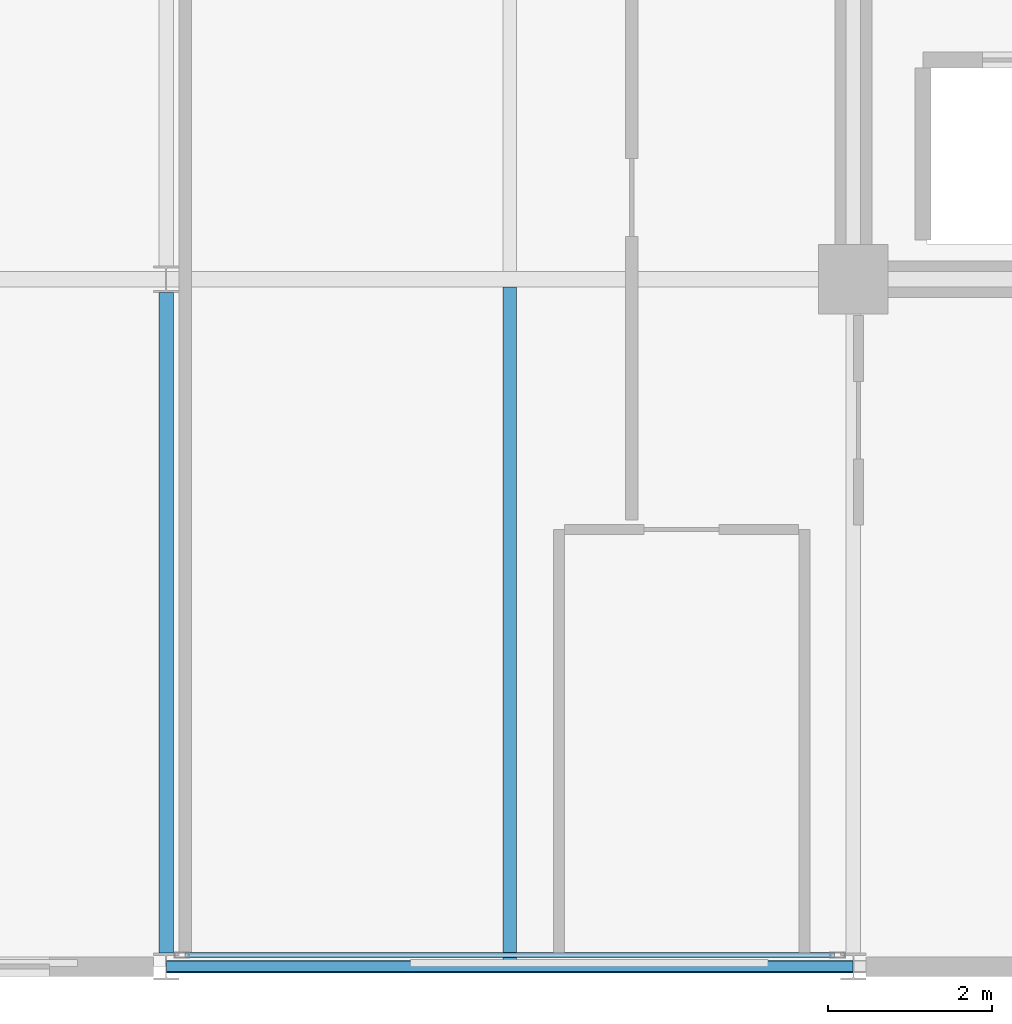
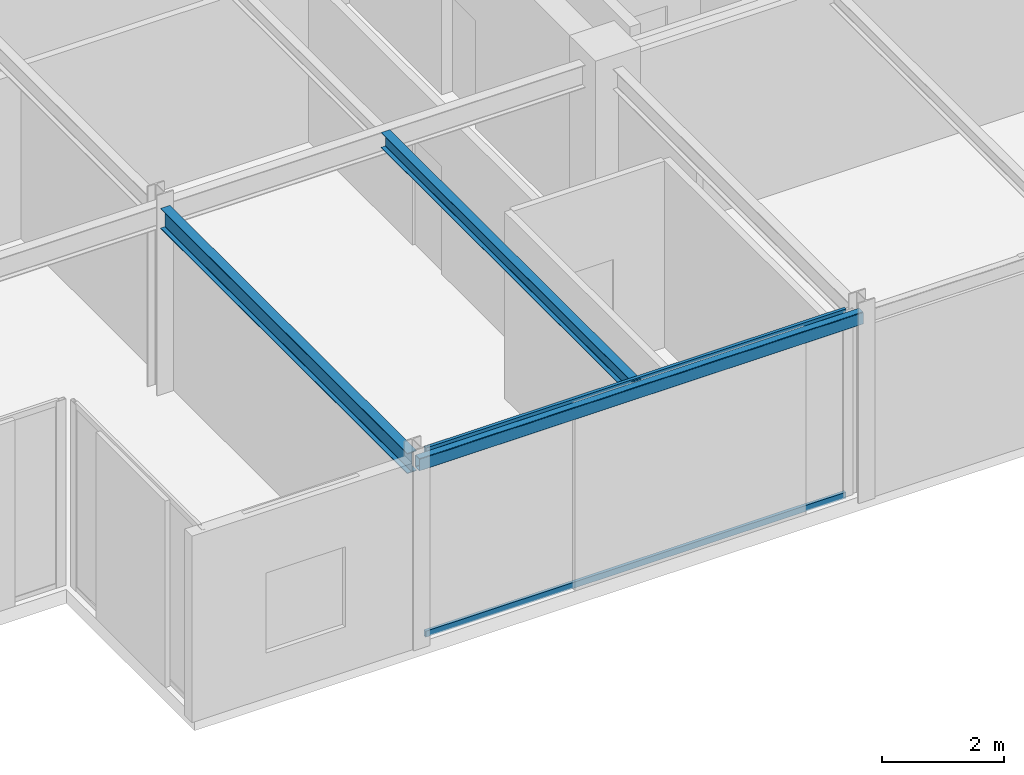
# One storey, part 4 of 24: 3 beams, 2 members, 1 element without a shape of its own.
"""IFC4 building model written with IfcOpenShell, lengths in metres."""

from ifc_helpers import new_model, si_unit, direction, frame, origin, origin_2d, place, context, subcontext, project, spatial, hollow_rectangle, i_section, extrude, material, layer, layer_set, material_profile, profile_set, type_object, element, aggregate, save


model = new_model("IFC4")

# Units and contexts
model_context = context("Model", 3, precision=1e-05, world=origin(), true_north=direction((0.0, 1.0)))
body_context = subcontext(model_context, "Body", "Model", "MODEL_VIEW")
ifc_project = project(units=[si_unit("LENGTHUNIT", "METRE"), si_unit("AREAUNIT", "SQUARE_METRE"), si_unit("VOLUMEUNIT", "CUBIC_METRE"), si_unit("PLANEANGLEUNIT", "RADIAN"), si_unit("MASSUNIT", "GRAM", prefix="KILO")], contexts=[model_context])

# Site, building, storey
site_placement = place(None, origin())
site = spatial("IfcSite", under=ifc_project, at=site_placement, CompositionType="ELEMENT")
building_placement = place(site_placement, origin())
building = spatial("IfcBuilding", under=site, at=building_placement, Name="Nerrivon Quay Data Exchange", CompositionType="ELEMENT")
storey_placement = place(building_placement, frame((0.0, 0.0, 310.199951171875)))
storey = spatial("IfcBuildingStorey", under=building, at=storey_placement, Name="L74", CompositionType="ELEMENT", Elevation=310.199951171875)

# Beams
ifc_material_1 = material(Name="Steel Grade 350", Category="steel")
ifc_material_profile_1 = material_profile(ifc_material_1, i_section(OverallWidth=0.177978515625, OverallDepth=0.406005859375, WebThickness=0.0078125, FlangeThickness=0.0126953125, FilletRadius=0.011474609375, at=origin_2d()), Name="410UB59.7")
ifc_profile_set_1 = profile_set([ifc_material_profile_1], Name="Steel Grade 350")
beam_type_1 = type_object("IfcBeamType", Name="BM-J1-410UB60", PredefinedType="JOIST", material=ifc_profile_set_1)
beam_1_placement = place(storey_placement, frame((8.39990234375, 0.16357421875, 3.52197265625), z_axis=(0.0, 1.0, 0.0), x_axis=(-1.0, 0.0, 0.0)))
element("IfcBeam", 1, at=beam_1_placement, inside=storey, type_object=beam_type_1, Name="L74 NS Girder X=8.4 (0.0..8.4)", PredefinedType="JOIST", context=body_context, shape_type="SweptSolid", body=[
    extrude(i_section(OverallWidth=0.177978515625, OverallDepth=0.406005859375, WebThickness=0.0078125, FlangeThickness=0.0126953125, FilletRadius=0.011474609375, at=origin_2d()), origin(), (0.0, 0.0, 1.0), 8.072998046875),
])
ifc_material_profile_2 = material_profile(ifc_material_1, i_section(OverallWidth=0.1650390625, OverallDepth=0.303955078125, WebThickness=0.006103515625, FlangeThickness=0.01025390625, FilletRadius=0.011474609375, at=origin_2d()), Name="310UB40.4")
ifc_profile_set_2 = profile_set([ifc_material_profile_2], Name="Steel Grade 350")
beam_type_2 = type_object("IfcBeamType", Name="BM-J6-310UB40", PredefinedType="JOIST", material=ifc_profile_set_2)
beam_2_placement = place(storey_placement, frame((12.60009765625, 0.074951171875, 3.572998046875), z_axis=(0.0, 1.0, 0.0), x_axis=(-1.0, 0.0, 0.0)))
element("IfcBeam", 2, at=beam_2_placement, inside=storey, type_object=beam_type_2, Name="L74 Secondary Joist X=12.6 (0.0..8.4)", PredefinedType="JOIST", context=body_context, shape_type="SweptSolid", body=[
    extrude(i_section(OverallWidth=0.1650390625, OverallDepth=0.303955078125, WebThickness=0.006103515625, FlangeThickness=0.01025390625, FilletRadius=0.011474609375, at=origin_2d()), origin(), (0.0, 0.0, 1.0), 8.22998046875),
])
ifc_material_2 = material(Name="Steel Grade C350L0 (350 MPa)", Category="steel")
ifc_material_profile_3 = material_profile(ifc_material_2, hollow_rectangle(XDim=0.14990234375, YDim=0.25, WallThickness=0.009033203125, InnerFilletRadius=0.013427734375, OuterFilletRadius=0.0224609375, at=origin_2d()), Name="250x150x9.0RHS")
ifc_profile_set_3 = profile_set([ifc_material_profile_3], Name="Steel Grade C350L0 (350 MPa)")
beam_type_3 = type_object("IfcBeamType", Name="BM-SP4-250x150RHS", PredefinedType="SPANDREL", material=ifc_profile_set_3)
beam_3_placement = place(storey_placement, frame((8.40771484375, 0.0, 3.60009765625), z_axis=(1.0, 0.0, 0.0), x_axis=(0.0, 1.0, 0.0)))
element("IfcBeam", 3, at=beam_3_placement, inside=storey, type_object=beam_type_3, Name="L74 EW Girder Y=0.0 (8.4..16.8)", PredefinedType="SPANDREL", context=body_context, shape_type="SweptSolid", body=[
    extrude(hollow_rectangle(XDim=0.14990234375, YDim=0.25, WallThickness=0.009033203125, InnerFilletRadius=0.013427734375, OuterFilletRadius=0.0224609375, at=origin_2d()), origin(), (0.0, 0.0, 1.0), 8.38427734375),
])

# Curtain wall, members
ifc_material_3 = material(Name="Anodised aluminium 6063-T6", Category="aluminium")
ifc_layer = layer(ifc_material_3, 0.195068359375)
ifc_layer_set = layer_set([ifc_layer], Name="Anodised aluminium 6063-T6")
curtain_wall_type = type_object("IfcCurtainWallType", Name="CW-SYS-06", PredefinedType="NOTDEFINED", material=ifc_layer_set)
curtain_wall_placement = place(storey_placement, origin())
curtain_wall = element("IfcCurtainWall", 4, at=curtain_wall_placement, inside=storey, type_object=curtain_wall_type, Name="L74 Unitised Curtain Wall 4", PredefinedType="NOTDEFINED")
ifc_material_profile_4 = material_profile(ifc_material_3, hollow_rectangle(XDim=0.06005859375, YDim=0.1201171875, WallThickness=0.003173828125, at=origin_2d()), Name="ALU-TRAN-120x60")
ifc_profile_set_4 = profile_set([ifc_material_profile_4], Name="Anodised aluminium 6063-T6")
member_type = type_object("IfcMemberType", Name="CWT-120x60", PredefinedType="USERDEFINED", material=ifc_profile_set_4)
member_1_placement = place(storey_placement, frame((16.569580078125, 0.139892578125, 0.032470703125), z_axis=(-1.0, 0.0, 0.0), x_axis=(0.0, -1.0, 0.0)))
member_1 = element("IfcMember", 5, at=member_1_placement, type_object=member_type, Name="CW06 transom 1.1", ObjectType="TRANSOM", PredefinedType="USERDEFINED", context=body_context, shape_type="SweptSolid", body=[
    extrude(hollow_rectangle(XDim=0.06005859375, YDim=0.1201171875, WallThickness=0.003173828125, at=origin_2d()), origin(), (0.0, 0.0, 1.0), 7.93896484375),
])
member_2_placement = place(storey_placement, frame((16.569580078125, 0.139892578125, 3.692626953125), z_axis=(-1.0, 0.0, 0.0), x_axis=(0.0, -1.0, 0.0)))
member_2 = element("IfcMember", 6, at=member_2_placement, type_object=member_type, Name="CW06 transom 1.2", ObjectType="TRANSOM", PredefinedType="USERDEFINED", context=body_context, shape_type="SweptSolid", body=[
    extrude(hollow_rectangle(XDim=0.06005859375, YDim=0.1201171875, WallThickness=0.003173828125, at=origin_2d()), origin(), (0.0, 0.0, 1.0), 7.93896484375),
])
aggregate(curtain_wall, [member_1, member_2])

save(model, "model.ifc")
